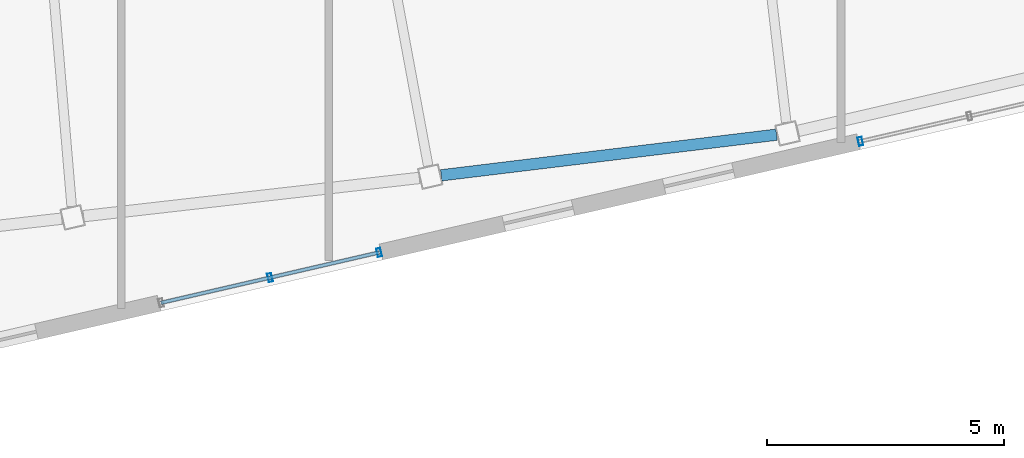
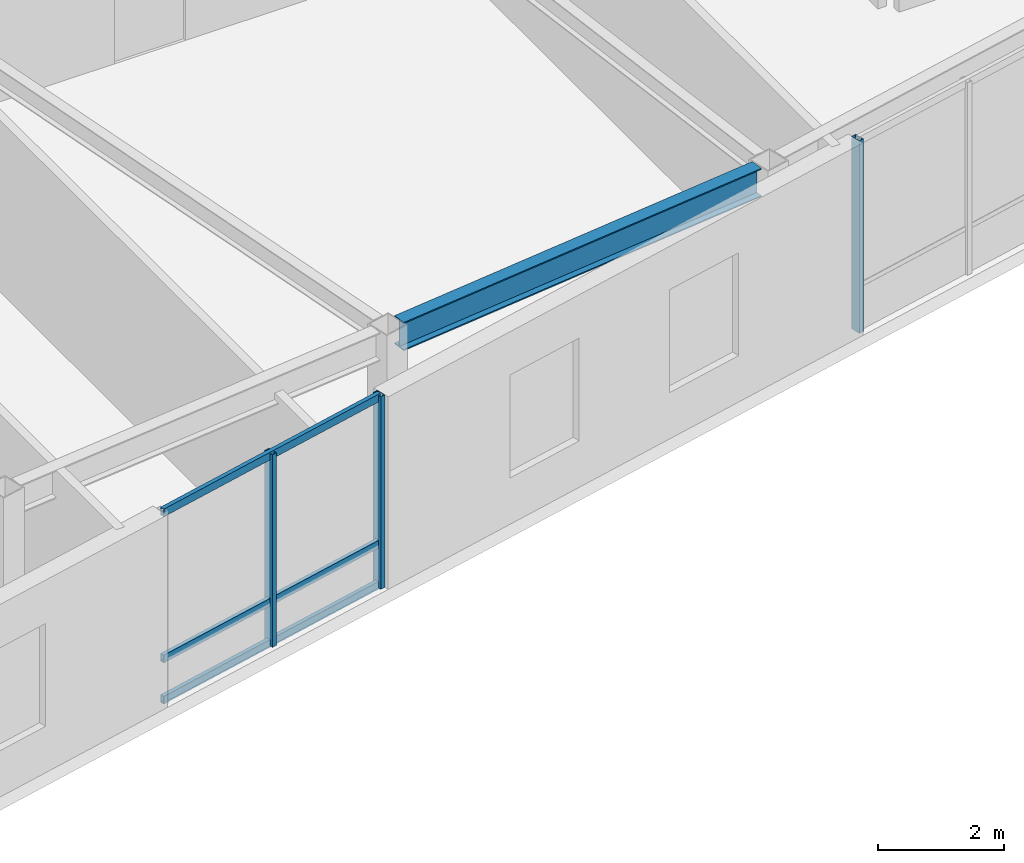
# One storey, part 7 of 23: 6 members, 1 beam, 2 elements without a shape of their own.
"""IFC4 building model written with IfcOpenShell, lengths in metres."""

from ifc_helpers import new_model, si_unit, direction, frame, origin, origin_2d, place, context, subcontext, project, spatial, hollow_rectangle, i_section, extrude, material, layer, layer_set, material_profile, profile_set, type_object, element, aggregate, save


model = new_model("IFC4")

# Units and contexts
model_context = context("Model", 3, precision=1e-05, world=origin(), true_north=direction((0.0, 1.0)))
body_context = subcontext(model_context, "Body", "Model", "MODEL_VIEW")
ifc_project = project(units=[si_unit("LENGTHUNIT", "METRE"), si_unit("AREAUNIT", "SQUARE_METRE"), si_unit("VOLUMEUNIT", "CUBIC_METRE"), si_unit("PLANEANGLEUNIT", "RADIAN"), si_unit("MASSUNIT", "GRAM", prefix="KILO")], contexts=[model_context])

# Site, building, storey
site_placement = place(None, origin())
site = spatial("IfcSite", under=ifc_project, at=site_placement, CompositionType="ELEMENT")
building_placement = place(site_placement, origin())
building = spatial("IfcBuilding", under=site, at=building_placement, Name="Tavrogorsk Clinical Tower", CompositionType="ELEMENT")
storey_placement = place(building_placement, frame((0.0, 0.0, 293.0)))
storey = spatial("IfcBuildingStorey", under=building, at=storey_placement, Name="L68", CompositionType="ELEMENT", Elevation=293.0)

# Curtain wall, members
ifc_material_1 = material(Name="Anodised aluminium and triple IGU glazing", Category="aluminium")
ifc_layer = layer(ifc_material_1, 0.179931640625)
ifc_layer_set = layer_set([ifc_layer], Name="Anodised aluminium and triple IGU glazing")
curtain_wall_type = type_object("IfcCurtainWallType", Name="CW3_SouthSlot", PredefinedType="NOTDEFINED", material=ifc_layer_set)
curtain_wall_1_placement = place(storey_placement, origin())
curtain_wall_1 = element("IfcCurtainWall", 1, at=curtain_wall_1_placement, inside=storey, type_object=curtain_wall_type, Name="L68 Curtain Wall CW-L68-S-SLOT-1", PredefinedType="NOTDEFINED")
ifc_material_2 = material(Name="Anodised aluminium alloy AW-6060", Category="aluminium")
ifc_material_profile_1 = material_profile(ifc_material_2, hollow_rectangle(XDim=0.090087890625, YDim=0.179931640625, WallThickness=0.00634765625, at=origin_2d()), Name="RHS-180x90x6.3")
ifc_profile_set_1 = profile_set([ifc_material_profile_1], Name="Anodised aluminium alloy AW-6060")
member_type_1 = type_object("IfcMemberType", Name="CwMullion_180x90", PredefinedType="MULLION", material=ifc_profile_set_1)
member_1_placement = place(storey_placement, frame((-4.633544921875, -25.438232421875, 0.0), z_axis=(0.0, 0.0, 1.0), x_axis=(0.974370057377, 0.224951086434, 0.0)))
member_1 = element("IfcMember", 2, at=member_1_placement, type_object=member_type_1, Name="CW-L68-S-SLOT-1 Mullion 2", PredefinedType="MULLION", context=body_context, shape_type="SweptSolid", body=[
    extrude(hollow_rectangle(XDim=0.090087890625, YDim=0.179931640625, WallThickness=0.00634765625, at=origin_2d()), origin(), (0.0, 0.0, 1.0), 3.739990234375),
])
member_2_placement = place(storey_placement, frame((-2.3349609375, -24.90771484375, 0.0), z_axis=(0.0, 0.0, 1.0), x_axis=(0.974370057377, 0.224951086434, 0.0)))
member_2 = element("IfcMember", 3, at=member_2_placement, type_object=member_type_1, Name="CW-L68-S-SLOT-1 Mullion 3", PredefinedType="MULLION", context=body_context, shape_type="SweptSolid", body=[
    extrude(hollow_rectangle(XDim=0.090087890625, YDim=0.179931640625, WallThickness=0.00634765625, at=origin_2d()), origin(), (0.0, 0.0, 1.0), 3.739990234375),
])

# Curtain wall, member
curtain_wall_2_placement = place(storey_placement, origin())
curtain_wall_2 = element("IfcCurtainWall", 4, at=curtain_wall_2_placement, inside=storey, type_object=curtain_wall_type, Name="L68 Curtain Wall CW-L68-S-SLOT-2", PredefinedType="NOTDEFINED")
member_3_placement = place(storey_placement, frame((7.80810546875, -22.56591796875, 0.0), z_axis=(0.0, 0.0, 1.0), x_axis=(0.974370057377, 0.224951086434, 0.0)))
member_3 = element("IfcMember", 5, at=member_3_placement, type_object=member_type_1, Name="CW-L68-S-SLOT-2 Mullion 1", PredefinedType="MULLION", context=body_context, shape_type="SweptSolid", body=[
    extrude(hollow_rectangle(XDim=0.090087890625, YDim=0.179931640625, WallThickness=0.00634765625, at=origin_2d()), origin(), (0.0, 0.0, 1.0), 3.739990234375),
])
aggregate(curtain_wall_2, [member_3])

# Member
ifc_material_3 = material(Name="Anodised aluminium alloy AW-6060", Category="aluminium")
ifc_material_profile_2 = material_profile(ifc_material_3, hollow_rectangle(XDim=0.074951171875, YDim=0.14990234375, WallThickness=0.0048828125, at=origin_2d()), Name="RHS-150x75x5")
ifc_profile_set_2 = profile_set([ifc_material_profile_2], Name="Anodised aluminium alloy AW-6060")
member_type_2 = type_object("IfcMemberType", Name="CwTransom_150x75", PredefinedType="USERDEFINED", material=ifc_profile_set_2)
member_4_placement = place(storey_placement, frame((-6.93212890625, -25.968994140625, 0.050048828125), z_axis=(0.974372877948, 0.22493886885, 0.0), x_axis=(-0.22493886885, 0.974372877948, 0.0)))
member_4 = element("IfcMember", 6, at=member_4_placement, type_object=member_type_2, Name="CW-L68-S-SLOT-1 Transom 1", ObjectType="TRANSOM", PredefinedType="USERDEFINED", context=body_context, shape_type="SweptSolid", body=[
    extrude(hollow_rectangle(XDim=0.074951171875, YDim=0.14990234375, WallThickness=0.0048828125, at=origin_2d()), origin(), (0.0, 0.0, 1.0), 4.718017578125),
])

member_5_placement = place(storey_placement, frame((-6.93212890625, -25.968994140625, 0.85009765625), z_axis=(0.974372877948, 0.22493886885, 0.0), x_axis=(-0.22493886885, 0.974372877948, 0.0)))
member_5 = element("IfcMember", 7, at=member_5_placement, type_object=member_type_2, Name="CW-L68-S-SLOT-1 Transom 2", ObjectType="TRANSOM", PredefinedType="USERDEFINED", context=body_context, shape_type="SweptSolid", body=[
    extrude(hollow_rectangle(XDim=0.074951171875, YDim=0.14990234375, WallThickness=0.0048828125, at=origin_2d()), origin(), (0.0, 0.0, 1.0), 4.718017578125),
])

member_6_placement = place(storey_placement, frame((-6.93212890625, -25.968994140625, 3.68994140625), z_axis=(0.974372877948, 0.22493886885, 0.0), x_axis=(-0.22493886885, 0.974372877948, 0.0)))
member_6 = element("IfcMember", 8, at=member_6_placement, type_object=member_type_2, Name="CW-L68-S-SLOT-1 Transom 3", ObjectType="TRANSOM", PredefinedType="USERDEFINED", context=body_context, shape_type="SweptSolid", body=[
    extrude(hollow_rectangle(XDim=0.074951171875, YDim=0.14990234375, WallThickness=0.0048828125, at=origin_2d()), origin(), (0.0, 0.0, 1.0), 4.718017578125),
])

aggregate(curtain_wall_1, [member_1, member_2, member_4, member_5, member_6])

# Beam
ifc_material_4 = material(Name="Structural steel S390", Category="steel")
ifc_material_profile_3 = material_profile(ifc_material_4, i_section(OverallWidth=0.239990234375, OverallDepth=0.550048828125, WebThickness=0.013916015625, FlangeThickness=0.02197265625, at=origin_2d()), Name="B-550x240x14x22")
ifc_profile_set_3 = profile_set([ifc_material_profile_3], Name="Structural steel S390")
beam_type = type_object("IfcBeamType", Name="SpandrelBeam_B550", PredefinedType="SPANDREL", material=ifc_profile_set_3)
beam_placement = place(storey_placement, frame((-1.026123046875, -23.28173828125, 3.465087890625), z_axis=(0.992733657897, 0.120332391639, 0.0), x_axis=(-0.120332391639, 0.992733657897, 0.0)))
element("IfcBeam", 9, at=beam_placement, inside=storey, type_object=beam_type, Name="L68 Perimeter Spandrel S4-S5", PredefinedType="SPANDREL", context=body_context, shape_type="SweptSolid", body=[
    extrude(i_section(OverallWidth=0.239990234375, OverallDepth=0.550048828125, WebThickness=0.013916015625, FlangeThickness=0.02197265625, at=origin_2d()), origin(), (0.0, 0.0, 1.0), 7.119384765625),
])

save(model, "model.ifc")
